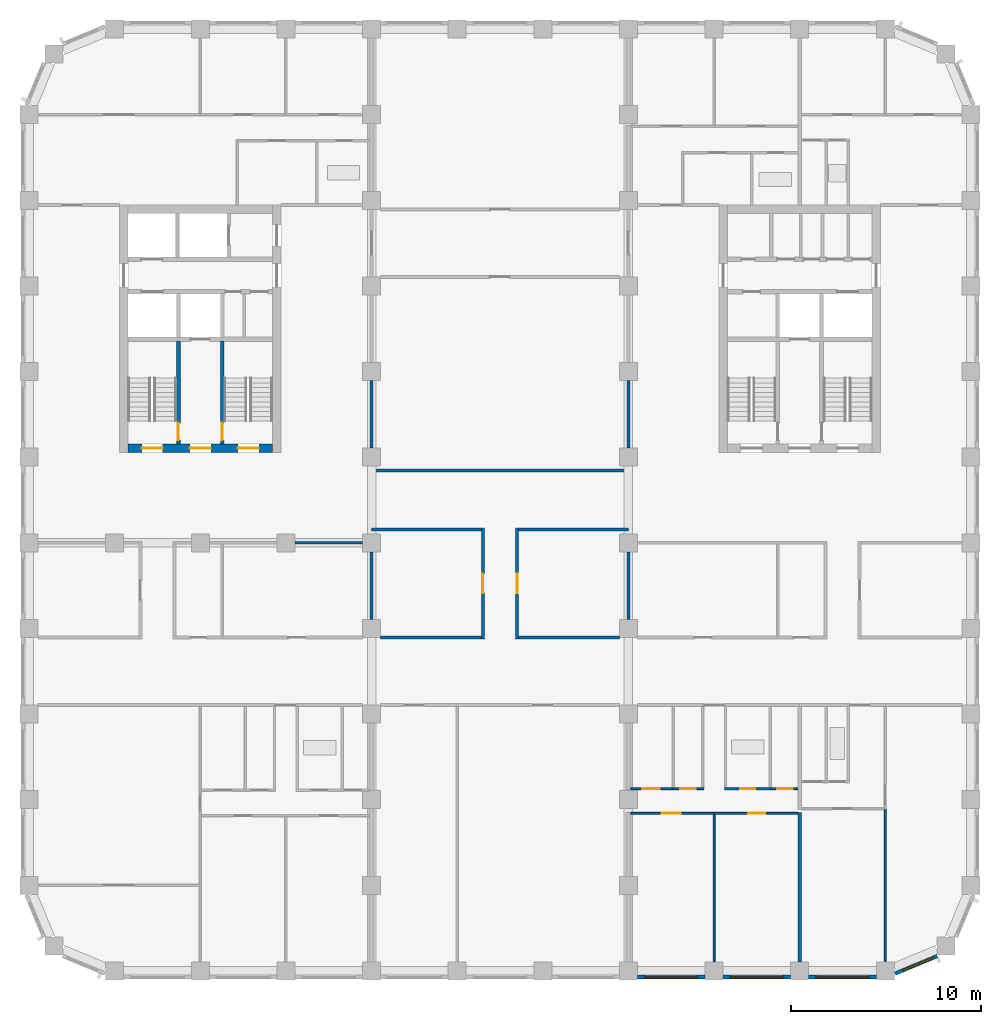
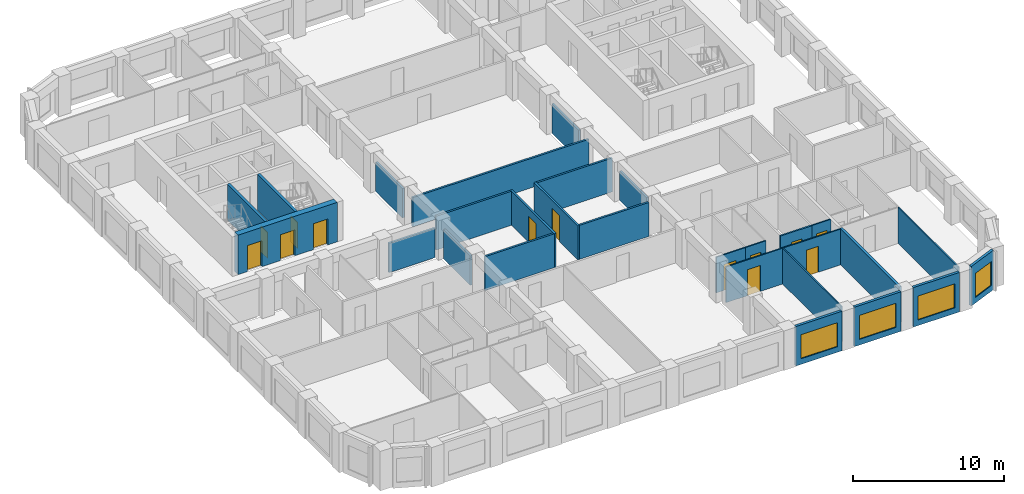
# One storey, part 4 of 12: 28 walls, 13 doors, 4 windows, 17 openings.
"""IFC4 building model written with IfcOpenShell, lengths in metres."""

import ifcopenshell
import ifcopenshell.guid

model = None  # the IFC model being written
_history = None  # IfcOwnerHistory: only IFC2X3 demands one
_inside = {}  # id of a spatial element -> (the spatial element, [elements in it])
_under = {}  # id of a project, library or spatial element -> (it, [spatial elements below it])
_declared = {}  # id of a project -> (the project, [libraries it declares])
_typed = {}  # id of a type object -> (the type object, [elements of that type])
_made_of = {}  # id of a material, layer set ... -> (it, [elements and type objects made of it])


def new_model(schema):
    """Start an empty IFC model of exactly this schema.

    Asked for "IFC4X3", IfcOpenShell would pick the latest addendum, in which some entities
    have other attributes; the version numbers below select the first issue.
    IFC2X3 requires an IfcOwnerHistory on every rooted entity: one is made here for all.
    """
    global model, _history
    if schema == "IFC4X3":
        model = ifcopenshell.file(schema_version=(4, 3, 0, 0))
    else:
        model = ifcopenshell.file(schema=schema)
    _inside.clear()
    _under.clear()
    _declared.clear()
    _typed.clear()
    _made_of.clear()
    _history = None
    if model.schema == "IFC2X3":
        org = make("IfcOrganization", Name="unknown")
        user = make(
            "IfcPersonAndOrganization",
            ThePerson=make("IfcPerson", FamilyName="unknown"),
            TheOrganization=org,
        )
        app = make(
            "IfcApplication",
            ApplicationDeveloper=org,
            Version="unknown",
            ApplicationFullName="unknown",
            ApplicationIdentifier="unknown",
        )
        _history = make(
            "IfcOwnerHistory",
            OwningUser=user,
            OwningApplication=app,
            ChangeAction="ADDED",
            CreationDate=0,
        )
    return model


def make(cls, **values):
    """One entity of the class cls with the attributes given. An attribute that is None is left unset."""
    return model.create_entity(
        cls, **{name: value for name, value in values.items() if value is not None}
    )


def rooted(cls, **values):
    """An entity with a GlobalId (a new one), such as an element, a storey or a relation."""
    return make(cls, GlobalId=ifcopenshell.guid.new(), OwnerHistory=_history, **values)


def si_unit(unit_type, name, prefix=None):
    """IfcSIUnit, for example si_unit("LENGTHUNIT", "METRE", prefix="MILLI")."""
    return make("IfcSIUnit", UnitType=unit_type, Prefix=prefix, Name=name)


def assignment(units):
    """IfcUnitAssignment: the units of a project."""
    return None if units is None else make("IfcUnitAssignment", Units=units)


def point(xyz):
    """IfcCartesianPoint."""
    return None if xyz is None else make("IfcCartesianPoint", Coordinates=xyz)


def direction(xyz):
    """IfcDirection."""
    return None if xyz is None else make("IfcDirection", DirectionRatios=xyz)


def frame(location, z_axis=None, x_axis=None):
    """IfcAxis2Placement3D, a coordinate frame: its origin and axes. An axis left out is left unset."""
    return make(
        "IfcAxis2Placement3D",
        Location=point(location),
        Axis=direction(z_axis),
        RefDirection=direction(x_axis),
    )


def frame_2d(location, x_axis=None):
    """IfcAxis2Placement2D, a coordinate frame in the plane: its origin and x axis."""
    return make(
        "IfcAxis2Placement2D", Location=point(location), RefDirection=direction(x_axis)
    )


def origin():
    """The frame at (0, 0, 0) with its axes left unset."""
    return frame((0.0, 0.0, 0.0))


def place(relative_to, where):
    """IfcLocalPlacement: puts the frame where relative to a parent placement (None: the world)."""
    return make(
        "IfcLocalPlacement", PlacementRelTo=relative_to, RelativePlacement=where
    )


def context(
    kind, dimensions, precision=None, world=None, true_north=None, identifier=None
):
    """IfcGeometricRepresentationContext, for example the 3D "Model" context."""
    return make(
        "IfcGeometricRepresentationContext",
        ContextIdentifier=identifier,
        ContextType=kind,
        CoordinateSpaceDimension=dimensions,
        Precision=precision,
        WorldCoordinateSystem=world,
        TrueNorth=true_north,
    )


def subcontext(parent, identifier, kind, view, scale=None):
    """IfcGeometricRepresentationSubContext, for example "Body" below "Model"."""
    return make(
        "IfcGeometricRepresentationSubContext",
        ContextIdentifier=identifier,
        ContextType=kind,
        ParentContext=parent,
        TargetScale=scale,
        TargetView=view,
    )


def project(units=None, contexts=None):
    """IfcProject with its units and contexts."""
    return rooted(
        "IfcProject",
        Name="project",
        RepresentationContexts=contexts,
        UnitsInContext=assignment(units),
    )


def spatial(cls, under=None, at=None, **own):
    """A site, building, storey or space (cls), placed at a placement, below another one or the project."""
    s = rooted(cls, ObjectPlacement=at, **own)
    if under is not None:
        _under.setdefault(under.id(), (under, []))[1].append(s)
    return s


def profile(cls, at=None, kind="AREA", **sizes):
    """A parametric profile (cls). Its sizes go by their IFC names, for example OverallWidth=200.0."""
    return make(cls, ProfileType=kind, Position=at, **sizes)


def rectangle(**sizes):
    """IfcRectangleProfileDef."""
    return profile("IfcRectangleProfileDef", **sizes)


def extrude(swept, where, along, depth):
    """IfcExtrudedAreaSolid: the profile swept, set in the frame where, extruded along a direction by depth."""
    return make(
        "IfcExtrudedAreaSolid",
        SweptArea=swept,
        Position=where,
        ExtrudedDirection=direction(along),
        Depth=depth,
    )


def shape(context_of_items, identifier, shape_type, items):
    """IfcShapeRepresentation: the items that make up one representation, for example the "Body"."""
    return make(
        "IfcShapeRepresentation",
        ContextOfItems=context_of_items,
        RepresentationIdentifier=identifier,
        RepresentationType=shape_type,
        Items=items,
    )


def material(Name=None, Category=None):
    """IfcMaterial."""
    return make("IfcMaterial", Name=Name, Category=Category)


def layer(
    of_material, thickness, ventilated=None, Name=None, Category=None, Priority=None
):
    """IfcMaterialLayer: one layer of a wall or slab, of a material (None: an air gap)."""
    return make(
        "IfcMaterialLayer",
        Material=of_material,
        LayerThickness=thickness,
        IsVentilated=ventilated,
        Name=Name,
        Category=Category,
        Priority=Priority,
    )


def layer_set(layers, Name=None):
    """IfcMaterialLayerSet."""
    return make("IfcMaterialLayerSet", MaterialLayers=layers, LayerSetName=Name)


def made_of(thing, what):
    """Note that an element or type object is made of a material, layer set ...; save() writes the relation."""
    if what is not None:
        _made_of.setdefault(what.id(), (what, []))[1].append(thing)
    return thing


def type_object(cls, material=None, **own):
    """A type object (cls), such as IfcWallType, which elements share."""
    return made_of(rooted(cls, **own), material)


def element(
    cls,
    number,
    at=None,
    inside=None,
    cuts=None,
    type_object=None,
    material=None,
    context=None,
    identifier="Body",
    shape_type=None,
    held_by="IfcProductDefinitionShape",
    body=None,
    shapes=None,
    **own,
):
    """One element of the class cls, such as IfcWall. Its Tag is "e" and its number.

    at: its placement. inside: the storey or other place that contains it. cuts: it is an
    opening in that element (IfcRelVoidsElement). A single representation is given by context,
    identifier, shape_type and body (its items); several are given by shapes. held_by: the class
    of the entity that holds the representations. save() writes the other relations.
    """
    e = rooted(cls, Tag="e%d" % number, ObjectPlacement=at, **own)
    if body is not None:
        shapes = [shape(context, identifier, shape_type, body)]
    if shapes is not None:
        e.Representation = make(held_by, Representations=shapes)
    if inside is not None:
        _inside.setdefault(inside.id(), (inside, []))[1].append(e)
    if cuts is not None:
        rooted(
            "IfcRelVoidsElement", RelatingBuildingElement=cuts, RelatedOpeningElement=e
        )
    if type_object is not None:
        _typed.setdefault(type_object.id(), (type_object, []))[1].append(e)
    return made_of(e, material)


def fill(opening, filler):
    """IfcRelFillsElement: the door or window that sits in an opening."""
    return rooted(
        "IfcRelFillsElement",
        RelatingOpeningElement=opening,
        RelatedBuildingElement=filler,
    )


def aggregate(whole, parts):
    """IfcRelAggregates: a whole, such as a stair, and the parts it consists of."""
    return rooted("IfcRelAggregates", RelatingObject=whole, RelatedObjects=parts)


def save(model, path):
    """Write the relations noted so far, then the file.

    IfcRelAggregates (storeys below a building ...), IfcRelContainedInSpatialStructure (elements
    in a storey), IfcRelDefinesByType, IfcRelAssociatesMaterial and IfcRelDeclares: one each for
    every whole, place, type object, material and project.
    """
    for whole, parts in _under.values():
        aggregate(whole, parts)
    for where, things in _inside.values():
        rooted(
            "IfcRelContainedInSpatialStructure",
            RelatedElements=things,
            RelatingStructure=where,
        )
    for kind, things in _typed.values():
        rooted("IfcRelDefinesByType", RelatedObjects=things, RelatingType=kind)
    for what, things in _made_of.values():
        rooted("IfcRelAssociatesMaterial", RelatedObjects=things, RelatingMaterial=what)
    for by, libraries in _declared.values():
        rooted("IfcRelDeclares", RelatingContext=by, RelatedDefinitions=libraries)
    model.write(path)


model = new_model("IFC4")

# Units and contexts
model_context = context("Model", 3, precision=1e-05, world=origin(), true_north=direction((0.0, 1.0)))
body_context = subcontext(model_context, "Body", "Model", "MODEL_VIEW")
ifc_project = project(units=[si_unit("LENGTHUNIT", "METRE"), si_unit("AREAUNIT", "SQUARE_METRE"), si_unit("VOLUMEUNIT", "CUBIC_METRE"), si_unit("PLANEANGLEUNIT", "RADIAN"), si_unit("MASSUNIT", "GRAM", prefix="KILO")], contexts=[model_context])

# Site, building, storey
site_placement = place(None, origin())
site = spatial("IfcSite", under=ifc_project, at=site_placement, CompositionType="ELEMENT")
building_placement = place(site_placement, origin())
building = spatial("IfcBuilding", under=site, at=building_placement, Name="Girih Gate Residences", CompositionType="ELEMENT")
storey_placement = place(building_placement, frame((0.0, 0.0, 139.800048828125)))
storey = spatial("IfcBuildingStorey", under=building, at=storey_placement, Name="L39", CompositionType="ELEMENT", Elevation=139.800048828125)

# Wall, opening, door
ifc_material_1 = material(Name="Gypsum board on steel studs", Category="steel")
ifc_layer_1 = layer(ifc_material_1, 0.14990234375)
ifc_layer_set_1 = layer_set([ifc_layer_1], Name="Compartment wall 150 mm")
wall_type_1 = type_object("IfcWallType", Name="Compartment wall 150 mm", PredefinedType="PARTITIONING", material=ifc_layer_set_1)
wall_1_placement = place(storey_placement, frame((23.85009765625, 17.449951171875, 0.0), z_axis=(0.0, 0.0, 1.0), x_axis=(0.0, 1.0, 0.0)))
wall_1 = element("IfcWall", 1, at=wall_1_placement, inside=storey, type_object=wall_type_1, Name="L39 partition", PredefinedType="PARTITIONING", context=body_context, shape_type="SweptSolid", body=[
    extrude(rectangle(XDim=5.824951171875, YDim=0.14990234375, at=frame_2d((2.91259765625, 0.0))), origin(), (0.0, 0.0, 1.0), 2.75),
])
opening_1_placement = place(wall_1_placement, frame((2.41259765625, 0.0, 0.0)))
opening_1 = element("IfcOpeningElement", 2, at=opening_1_placement, cuts=wall_1, Name="Opening A39-044", PredefinedType="OPENING", context=body_context, shape_type="SweptSolid", body=[
    extrude(rectangle(XDim=1.0, YDim=2.10009765625, at=frame_2d((0.5, 1.050048828125))), frame((0.0, 0.0849609375, 0.0), z_axis=(0.0, -1.0, 0.0), x_axis=(1.0, 0.0, 0.0)), (0.0, 0.0, 1.0), 0.169921875),
])
ifc_material_2 = material(Name="Timber, fire-rated core", Category="wood")
door_type_1 = type_object("IfcDoorType", Name="Amenity room door 1000x2100 FD30S", OperationType="NOTDEFINED", PredefinedType="DOOR", material=ifc_material_2)
door_1_placement = place(opening_1_placement, origin())
door_1 = element("IfcDoor", 3, at=door_1_placement, inside=storey, type_object=door_type_1, Name="Door A39-044", OperationType="SINGLE_SWING_LEFT", OverallHeight=2.10009765625, OverallWidth=1.0, PredefinedType="DOOR", context=body_context, shape_type="SweptSolid", body=[
    extrude(rectangle(XDim=1.0, YDim=2.10009765625, at=frame_2d((0.5, 1.050048828125))), frame((0.0, 0.02490234375, 0.0), z_axis=(0.0, -1.0, 0.0), x_axis=(1.0, 0.0, 0.0)), (0.0, 0.0, 1.0), 0.050048828125),
])
fill(opening_1, door_1)

wall_2_placement = place(storey_placement, frame((25.64990234375, 23.27490234375, 0.0), z_axis=(0.0, 0.0, 1.0), x_axis=(0.0, -1.0, 0.0)))
wall_2 = element("IfcWall", 4, at=wall_2_placement, inside=storey, type_object=wall_type_1, Name="L39 partition", PredefinedType="PARTITIONING", context=body_context, shape_type="SweptSolid", body=[
    extrude(rectangle(XDim=5.824951171875, YDim=0.14990234375, at=frame_2d((2.91259765625, 0.0))), origin(), (0.0, 0.0, 1.0), 2.75),
])
opening_2_placement = place(wall_2_placement, frame((2.41259765625, 0.0, 0.0)))
opening_2 = element("IfcOpeningElement", 5, at=opening_2_placement, cuts=wall_2, Name="Opening A39-045", PredefinedType="OPENING", context=body_context, shape_type="SweptSolid", body=[
    extrude(rectangle(XDim=1.0, YDim=2.10009765625, at=frame_2d((0.5, 1.050048828125))), frame((0.0, 0.0849609375, 0.0), z_axis=(0.0, -1.0, 0.0), x_axis=(1.0, 0.0, 0.0)), (0.0, 0.0, 1.0), 0.169921875),
])
door_2_placement = place(opening_2_placement, origin())
door_2 = element("IfcDoor", 6, at=door_2_placement, inside=storey, type_object=door_type_1, Name="Door A39-045", OperationType="SINGLE_SWING_RIGHT", OverallHeight=2.10009765625, OverallWidth=1.0, PredefinedType="DOOR", context=body_context, shape_type="SweptSolid", body=[
    extrude(rectangle(XDim=1.0, YDim=2.10009765625, at=frame_2d((0.5, 1.050048828125))), frame((0.0, 0.02490234375, 0.0), z_axis=(0.0, -1.0, 0.0), x_axis=(1.0, 0.0, 0.0)), (0.0, 0.0, 1.0), 0.050048828125),
])
fill(opening_2, door_2)

# Walls
for number, where, z_axis, x_axis, name in (
    (7, (18.47509765625, 17.52490234375, 0.0), (0.0, 0.0, 1.0), (1.0, 0.0, 0.0), "L39 partition"),
    (8, (25.72509765625, 17.52490234375, 0.0), (0.0, 0.0, 1.0), (1.0, 0.0, 0.0), "L39 partition"),
):
    element("IfcWall", number, at=place(storey_placement, frame(where, z_axis=z_axis, x_axis=x_axis)), inside=storey, type_object=wall_type_1, Name=name, PredefinedType="PARTITIONING", context=body_context, shape_type="SweptSolid", body=[
        extrude(rectangle(XDim=5.2998046875, YDim=0.14990234375, at=frame_2d((2.64990234375, 0.0))), origin(), (0.0, 0.0, 1.0), 2.75),
    ])
for number, where, z_axis, x_axis, name in (
    (9, (31.5, 27.47509765625, 0.0), (0.0, 0.0, 1.0), (0.0, 1.0, 0.0), "L39 partition"),
    (10, (18.0, 27.47509765625, 0.0), (0.0, 0.0, 1.0), (0.0, 1.0, 0.0), "L39 partition"),
):
    element("IfcWall", number, at=place(storey_placement, frame(where, z_axis=z_axis, x_axis=x_axis)), inside=storey, type_object=wall_type_1, Name=name, PredefinedType="PARTITIONING", context=body_context, shape_type="SweptSolid", body=[
        extrude(rectangle(XDim=3.5498046875, YDim=0.14990234375, at=frame_2d((1.77490234375, 0.0))), origin(), (0.0, 0.0, 1.0), 2.3798828125),
    ])
wall_3_placement = place(storey_placement, frame((18.0, 26.300048828125, 0.0), z_axis=(0.0, 0.0, 1.0), x_axis=(1.0, 0.0, 0.0)))
element("IfcWall", 11, at=wall_3_placement, inside=storey, type_object=wall_type_1, Name="L39 partition", PredefinedType="PARTITIONING", context=body_context, shape_type="SweptSolid", body=[
    extrude(rectangle(XDim=13.5, YDim=0.14990234375, at=frame_2d((6.75, 0.0))), origin(), (0.0, 0.0, 1.0), 2.3798828125),
])
wall_4_placement = place(storey_placement, frame((18.0, 23.199951171875, 0.0), z_axis=(0.0, 0.0, 1.0), x_axis=(1.0, 0.0, 0.0)))
element("IfcWall", 12, at=wall_4_placement, inside=storey, type_object=wall_type_1, Name="L39 partition", PredefinedType="PARTITIONING", context=body_context, shape_type="SweptSolid", body=[
    extrude(rectangle(XDim=5.77490234375, YDim=0.14990234375, at=frame_2d((2.887451171875, 0.0))), origin(), (0.0, 0.0, 1.0), 2.75),
])
wall_5_placement = place(storey_placement, frame((18.0, 18.47509765625, 0.0), z_axis=(0.0, 0.0, 1.0), x_axis=(0.0, 1.0, 0.0)))
element("IfcWall", 13, at=wall_5_placement, inside=storey, type_object=wall_type_1, Name="L39 partition", PredefinedType="PARTITIONING", context=body_context, shape_type="SweptSolid", body=[
    extrude(rectangle(XDim=3.5498046875, YDim=0.14990234375, at=frame_2d((1.77490234375, 0.0))), origin(), (0.0, 0.0, 1.0), 2.3798828125),
])
wall_6_placement = place(storey_placement, frame((25.72509765625, 23.199951171875, 0.0), z_axis=(0.0, 0.0, 1.0), x_axis=(1.0, 0.0, 0.0)))
element("IfcWall", 14, at=wall_6_placement, inside=storey, type_object=wall_type_1, Name="L39 partition", PredefinedType="PARTITIONING", context=body_context, shape_type="SweptSolid", body=[
    extrude(rectangle(XDim=5.77490234375, YDim=0.14990234375, at=frame_2d((2.887451171875, 0.0))), origin(), (0.0, 0.0, 1.0), 2.75),
])
for number, where, z_axis, x_axis, name in (
    (15, (31.5, 18.47509765625, 0.0), (0.0, 0.0, 1.0), (0.0, 1.0, 0.0), "L39 partition"),
    (16, (13.97509765625, 22.5, 0.0), (0.0, 0.0, 1.0), (1.0, 0.0, 0.0), "L39 partition"),
):
    element("IfcWall", number, at=place(storey_placement, frame(where, z_axis=z_axis, x_axis=x_axis)), inside=storey, type_object=wall_type_1, Name=name, PredefinedType="PARTITIONING", context=body_context, shape_type="SweptSolid", body=[
        extrude(rectangle(XDim=3.5498046875, YDim=0.14990234375, at=frame_2d((1.77490234375, 0.0))), origin(), (0.0, 0.0, 1.0), 2.3798828125),
    ])

# Wall, openings, doors
ifc_material_3 = material(Name="Concrete C60/75", Category="concrete")
ifc_layer_2 = layer(ifc_material_3, 0.449951171875)
ifc_layer_set_2 = layer_set([ifc_layer_2], Name="Core wall RC 450 Concrete C60/75")
wall_type_2 = type_object("IfcWallType", Name="Core wall RC 450 Concrete C60/75", PredefinedType="SOLIDWALL", material=ifc_layer_set_2)
wall_7_placement = place(storey_placement, frame((5.199951171875, 27.47509765625, 0.0), z_axis=(0.0, 0.0, 1.0), x_axis=(1.0, 0.0, 0.0)))
wall_7 = element("IfcWall", 17, at=wall_7_placement, inside=storey, type_object=wall_type_2, Name="Core wall W-S L39", PredefinedType="SOLIDWALL", context=body_context, shape_type="SweptSolid", body=[
    extrude(rectangle(XDim=7.60009765625, YDim=0.449951171875, at=frame_2d((3.800048828125, 0.0))), origin(), (0.0, 0.0, 1.0), 3.199951171875),
])
opening_3_placement = place(wall_7_placement, frame((0.72509765625, 0.0, 0.0)))
opening_3 = element("IfcOpeningElement", 18, at=opening_3_placement, cuts=wall_7, Name="Opening D-L39-W-009", PredefinedType="OPENING", context=body_context, shape_type="SweptSolid", body=[
    extrude(rectangle(XDim=1.10009765625, YDim=2.10009765625, at=frame_2d((0.550048828125, 1.050048828125))), frame((0.0, 0.23486328125, 0.0), z_axis=(0.0, -1.0, 0.0), x_axis=(1.0, 0.0, 0.0)), (0.0, 0.0, 1.0), 0.469970703125),
])
opening_4_placement = place(wall_7_placement, frame((3.25, 0.0, 0.0)))
opening_4 = element("IfcOpeningElement", 19, at=opening_4_placement, cuts=wall_7, Name="Opening D-L39-W-010", PredefinedType="OPENING", context=body_context, shape_type="SweptSolid", body=[
    extrude(rectangle(XDim=1.10009765625, YDim=2.10009765625, at=frame_2d((0.550048828125, 1.050048828125))), frame((0.0, 0.23486328125, 0.0), z_axis=(0.0, -1.0, 0.0), x_axis=(1.0, 0.0, 0.0)), (0.0, 0.0, 1.0), 0.469970703125),
])
opening_5_placement = place(wall_7_placement, frame((5.77490234375, 0.0, 0.0)))
opening_5 = element("IfcOpeningElement", 20, at=opening_5_placement, cuts=wall_7, Name="Opening D-L39-W-011", PredefinedType="OPENING", context=body_context, shape_type="SweptSolid", body=[
    extrude(rectangle(XDim=1.10009765625, YDim=2.10009765625, at=frame_2d((0.550048828125, 1.050048828125))), frame((0.0, 0.23486328125, 0.0), z_axis=(0.0, -1.0, 0.0), x_axis=(1.0, 0.0, 0.0)), (0.0, 0.0, 1.0), 0.469970703125),
])
ifc_material_4 = material(Name="Painted steel, fire-resisting", Category="steel")
door_type_2 = type_object("IfcDoorType", Name="Fire door 1100x2100", OperationType="SINGLE_SWING_LEFT", PredefinedType="DOOR", material=ifc_material_4)
door_3_placement = place(opening_3_placement, origin())
door_3 = element("IfcDoor", 21, at=door_3_placement, inside=storey, type_object=door_type_2, Name="L39 W core door sta-out", OperationType="SINGLE_SWING_LEFT", OverallHeight=2.10009765625, OverallWidth=1.10009765625, PredefinedType="DOOR", context=body_context, shape_type="SweptSolid", body=[
    extrude(rectangle(XDim=1.10009765625, YDim=2.10009765625, at=frame_2d((0.550048828125, 1.050048828125))), frame((0.0, 0.02490234375, 0.0), z_axis=(0.0, -1.0, 0.0), x_axis=(1.0, 0.0, 0.0)), (0.0, 0.0, 1.0), 0.050048828125),
])
fill(opening_3, door_3)
door_4_placement = place(opening_4_placement, origin())
door_4 = element("IfcDoor", 22, at=door_4_placement, inside=storey, type_object=door_type_2, Name="L39 W core door ffl-out", OperationType="SINGLE_SWING_LEFT", OverallHeight=2.10009765625, OverallWidth=1.10009765625, PredefinedType="DOOR", context=body_context, shape_type="SweptSolid", body=[
    extrude(rectangle(XDim=1.10009765625, YDim=2.10009765625, at=frame_2d((0.550048828125, 1.050048828125))), frame((0.0, 0.02490234375, 0.0), z_axis=(0.0, -1.0, 0.0), x_axis=(1.0, 0.0, 0.0)), (0.0, 0.0, 1.0), 0.050048828125),
])
fill(opening_4, door_4)
door_5_placement = place(opening_5_placement, origin())
door_5 = element("IfcDoor", 23, at=door_5_placement, inside=storey, type_object=door_type_2, Name="L39 W core door stb-out", OperationType="SINGLE_SWING_LEFT", OverallHeight=2.10009765625, OverallWidth=1.10009765625, PredefinedType="DOOR", context=body_context, shape_type="SweptSolid", body=[
    extrude(rectangle(XDim=1.10009765625, YDim=2.10009765625, at=frame_2d((0.550048828125, 1.050048828125))), frame((0.0, 0.02490234375, 0.0), z_axis=(0.0, -1.0, 0.0), x_axis=(1.0, 0.0, 0.0)), (0.0, 0.0, 1.0), 0.050048828125),
])
fill(opening_5, door_5)

# Wall
ifc_layer_3 = layer(ifc_material_1, 0.10009765625)
ifc_layer_set_3 = layer_set([ifc_layer_3], Name="Partition 100 mm")
wall_type_3 = type_object("IfcWallType", Name="Partition 100 mm", PredefinedType="PARTITIONING", material=ifc_layer_set_3)
wall_8_placement = place(storey_placement, frame((45.0, 0.51416015625, 0.0), z_axis=(0.0, 0.0, 1.0), x_axis=(0.0, 1.0, 0.0)))
element("IfcWall", 24, at=wall_8_placement, inside=storey, type_object=wall_type_3, Name="L39 partition", PredefinedType="PARTITIONING", context=body_context, shape_type="SweptSolid", body=[
    extrude(rectangle(XDim=8.0107421875, YDim=0.10009765625, at=frame_2d((4.00537109375, 0.0))), origin(), (0.0, 0.0, 1.0), 2.89990234375),
])

# Wall, opening, door
wall_9_placement = place(storey_placement, frame((40.39990234375, 8.284912109375, 0.0), z_axis=(0.0, 0.0, 1.0), x_axis=(-1.0, 0.0, 0.0)))
wall_9 = element("IfcWall", 25, at=wall_9_placement, inside=storey, type_object=wall_type_3, Name="L39 partition", PredefinedType="PARTITIONING", context=body_context, shape_type="SweptSolid", body=[
    extrude(rectangle(XDim=4.39990234375, YDim=0.10009765625, at=frame_2d((2.199951171875, 0.0))), origin(), (0.0, 0.0, 1.0), 2.89990234375),
])
opening_6_placement = place(wall_9_placement, frame((1.699951171875, 0.0, 0.0)))
opening_6 = element("IfcOpeningElement", 26, at=opening_6_placement, cuts=wall_9, Name="Opening A39-022", PredefinedType="OPENING", context=body_context, shape_type="SweptSolid", body=[
    extrude(rectangle(XDim=0.89990234375, YDim=2.10009765625, at=frame_2d((0.449951171875, 1.050048828125))), frame((0.0, 0.06005859375, 0.0), z_axis=(0.0, -1.0, 0.0), x_axis=(1.0, 0.0, 0.0)), (0.0, 0.0, 1.0), 0.1201171875),
])
ifc_material_5 = material(Name="Timber", Category="wood")
door_type_3 = type_object("IfcDoorType", Name="Bedroom door 900x2100", OperationType="NOTDEFINED", PredefinedType="DOOR", material=ifc_material_5)
door_6_placement = place(opening_6_placement, origin())
door_6 = element("IfcDoor", 27, at=door_6_placement, inside=storey, type_object=door_type_3, Name="Door A39-022", OperationType="SINGLE_SWING_LEFT", OverallHeight=2.10009765625, OverallWidth=0.89990234375, PredefinedType="DOOR", context=body_context, shape_type="SweptSolid", body=[
    extrude(rectangle(XDim=0.89990234375, YDim=2.10009765625, at=frame_2d((0.449951171875, 1.050048828125))), frame((0.0, 0.02490234375, 0.0), z_axis=(0.0, -1.0, 0.0), x_axis=(1.0, 0.0, 0.0)), (0.0, 0.0, 1.0), 0.050048828125),
])
fill(opening_6, door_6)

# Wall
wall_10_placement = place(storey_placement, frame((36.0, 0.47509765625, 0.0), z_axis=(0.0, 0.0, 1.0), x_axis=(0.0, 1.0, 0.0)))
element("IfcWall", 28, at=wall_10_placement, inside=storey, type_object=wall_type_3, Name="L39 partition", PredefinedType="PARTITIONING", context=body_context, shape_type="SweptSolid", body=[
    extrude(rectangle(XDim=7.760009765625, YDim=0.10009765625, at=frame_2d((3.8798828125, 0.0))), origin(), (0.0, 0.0, 1.0), 2.89990234375),
])

# Wall, opening, door
wall_11_placement = place(storey_placement, frame((31.625, 9.5849609375, 0.0), z_axis=(0.0, 0.0, 1.0), x_axis=(1.0, 0.0, 0.0)))
wall_11 = element("IfcWall", 29, at=wall_11_placement, inside=storey, type_object=wall_type_3, Name="L39 partition", PredefinedType="PARTITIONING", context=body_context, shape_type="SweptSolid", body=[
    extrude(rectangle(XDim=2.239501953125, YDim=0.10009765625, at=frame_2d((1.11962890625, 0.0))), origin(), (0.0, 0.0, 1.0), 2.89990234375),
])
opening_7_placement = place(wall_11_placement, frame((0.607177734375, 0.0, 0.0)))
opening_7 = element("IfcOpeningElement", 30, at=opening_7_placement, cuts=wall_11, Name="Opening A39-023", PredefinedType="OPENING", context=body_context, shape_type="SweptSolid", body=[
    extrude(rectangle(XDim=0.89990234375, YDim=2.10009765625, at=frame_2d((0.449951171875, 1.050048828125))), frame((0.0, 0.06005859375, 0.0), z_axis=(0.0, -1.0, 0.0), x_axis=(1.0, 0.0, 0.0)), (0.0, 0.0, 1.0), 0.1201171875),
])
door_type_4 = type_object("IfcDoorType", Name="Kitchen door 900x2100", OperationType="NOTDEFINED", PredefinedType="DOOR", material=ifc_material_5)
door_7_placement = place(opening_7_placement, origin())
door_7 = element("IfcDoor", 31, at=door_7_placement, inside=storey, type_object=door_type_4, Name="Door A39-023", OperationType="SINGLE_SWING_LEFT", OverallHeight=2.10009765625, OverallWidth=0.89990234375, PredefinedType="DOOR", context=body_context, shape_type="SweptSolid", body=[
    extrude(rectangle(XDim=0.89990234375, YDim=2.10009765625, at=frame_2d((0.449951171875, 1.050048828125))), frame((0.0, 0.02490234375, 0.0), z_axis=(0.0, -1.0, 0.0), x_axis=(1.0, 0.0, 0.0)), (0.0, 0.0, 1.0), 0.050048828125),
])
fill(opening_7, door_7)

wall_12_placement = place(storey_placement, frame((36.0, 8.284912109375, 0.0), z_axis=(0.0, 0.0, 1.0), x_axis=(-1.0, 0.0, 0.0)))
wall_12 = element("IfcWall", 32, at=wall_12_placement, inside=storey, type_object=wall_type_3, Name="L39 partition", PredefinedType="PARTITIONING", context=body_context, shape_type="SweptSolid", body=[
    extrude(rectangle(XDim=4.375, YDim=0.10009765625, at=frame_2d((2.1875, 0.0))), origin(), (0.0, 0.0, 1.0), 2.89990234375),
])
opening_8_placement = place(wall_12_placement, frame((1.75, 0.0, 0.0)))
opening_8 = element("IfcOpeningElement", 33, at=opening_8_placement, cuts=wall_12, Name="Opening A39-024", PredefinedType="OPENING", context=body_context, shape_type="SweptSolid", body=[
    extrude(rectangle(XDim=1.0, YDim=2.10009765625, at=frame_2d((0.5, 1.050048828125))), frame((0.0, 0.06005859375, 0.0), z_axis=(0.0, -1.0, 0.0), x_axis=(1.0, 0.0, 0.0)), (0.0, 0.0, 1.0), 0.1201171875),
])
door_type_5 = type_object("IfcDoorType", Name="Living room door 1000x2100", OperationType="NOTDEFINED", PredefinedType="DOOR", material=ifc_material_5)
door_8_placement = place(opening_8_placement, origin())
door_8 = element("IfcDoor", 34, at=door_8_placement, inside=storey, type_object=door_type_5, Name="Door A39-024", OperationType="SINGLE_SWING_RIGHT", OverallHeight=2.10009765625, OverallWidth=1.0, PredefinedType="DOOR", context=body_context, shape_type="SweptSolid", body=[
    extrude(rectangle(XDim=1.0, YDim=2.10009765625, at=frame_2d((0.5, 1.050048828125))), frame((0.0, 0.02490234375, 0.0), z_axis=(0.0, -1.0, 0.0), x_axis=(1.0, 0.0, 0.0)), (0.0, 0.0, 1.0), 0.050048828125),
])
fill(opening_8, door_8)

wall_13_placement = place(storey_placement, frame((38.946533203125, 9.5849609375, 0.0), z_axis=(0.0, 0.0, 1.0), x_axis=(1.0, 0.0, 0.0)))
wall_13 = element("IfcWall", 35, at=wall_13_placement, inside=storey, type_object=wall_type_3, Name="L39 partition", PredefinedType="PARTITIONING", context=body_context, shape_type="SweptSolid", body=[
    extrude(rectangle(XDim=1.453369140625, YDim=0.10009765625, at=frame_2d((0.7265625, 0.0))), origin(), (0.0, 0.0, 1.0), 2.89990234375),
])
opening_9_placement = place(wall_13_placement, frame((0.376708984375, 0.0, 0.0)))
opening_9 = element("IfcOpeningElement", 36, at=opening_9_placement, cuts=wall_13, Name="Opening A39-025", PredefinedType="OPENING", context=body_context, shape_type="SweptSolid", body=[
    extrude(rectangle(XDim=0.800048828125, YDim=2.10009765625, at=frame_2d((0.39990234375, 1.050048828125))), frame((0.0, 0.06005859375, 0.0), z_axis=(0.0, -1.0, 0.0), x_axis=(1.0, 0.0, 0.0)), (0.0, 0.0, 1.0), 0.1201171875),
])
door_type_6 = type_object("IfcDoorType", Name="Store door 800x2100", OperationType="NOTDEFINED", PredefinedType="DOOR", material=ifc_material_5)
door_9_placement = place(opening_9_placement, origin())
door_9 = element("IfcDoor", 37, at=door_9_placement, inside=storey, type_object=door_type_6, Name="Door A39-025", OperationType="SINGLE_SWING_RIGHT", OverallHeight=2.10009765625, OverallWidth=0.800048828125, PredefinedType="DOOR", context=body_context, shape_type="SweptSolid", body=[
    extrude(rectangle(XDim=0.800048828125, YDim=2.10009765625, at=frame_2d((0.39990234375, 1.050048828125))), frame((0.0, 0.02490234375, 0.0), z_axis=(0.0, -1.0, 0.0), x_axis=(1.0, 0.0, 0.0)), (0.0, 0.0, 1.0), 0.050048828125),
])
fill(opening_9, door_9)

wall_14_placement = place(storey_placement, frame((33.864501953125, 9.5849609375, 0.0), z_axis=(0.0, 0.0, 1.0), x_axis=(1.0, 0.0, 0.0)))
wall_14 = element("IfcWall", 38, at=wall_14_placement, inside=storey, type_object=wall_type_3, Name="L39 partition", PredefinedType="PARTITIONING", context=body_context, shape_type="SweptSolid", body=[
    extrude(rectangle(XDim=1.58544921875, YDim=0.10009765625, at=frame_2d((0.792724609375, 0.0))), origin(), (0.0, 0.0, 1.0), 2.89990234375),
])
opening_10_placement = place(wall_14_placement, frame((0.367919921875, 0.0, 0.0)))
opening_10 = element("IfcOpeningElement", 39, at=opening_10_placement, cuts=wall_14, Name="Opening A39-026", PredefinedType="OPENING", context=body_context, shape_type="SweptSolid", body=[
    extrude(rectangle(XDim=0.800048828125, YDim=2.10009765625, at=frame_2d((0.39990234375, 1.050048828125))), frame((0.0, 0.06005859375, 0.0), z_axis=(0.0, -1.0, 0.0), x_axis=(1.0, 0.0, 0.0)), (0.0, 0.0, 1.0), 0.1201171875),
])
door_10_placement = place(opening_10_placement, origin())
door_10 = element("IfcDoor", 40, at=door_10_placement, inside=storey, type_object=door_type_6, Name="Door A39-026", OperationType="SINGLE_SWING_LEFT", OverallHeight=2.10009765625, OverallWidth=0.800048828125, PredefinedType="DOOR", context=body_context, shape_type="SweptSolid", body=[
    extrude(rectangle(XDim=0.800048828125, YDim=2.10009765625, at=frame_2d((0.39990234375, 1.050048828125))), frame((0.0, 0.02490234375, 0.0), z_axis=(0.0, -1.0, 0.0), x_axis=(1.0, 0.0, 0.0)), (0.0, 0.0, 1.0), 0.050048828125),
])
fill(opening_10, door_10)

# Wall
ifc_layer_4 = layer(ifc_material_1, 0.199951171875)
ifc_layer_set_4 = layer_set([ifc_layer_4], Name="Party wall 200 mm")
wall_type_4 = type_object("IfcWallType", Name="Party wall 200 mm", PredefinedType="PARTITIONING", material=ifc_layer_set_4)
wall_15_placement = place(storey_placement, frame((40.5, 0.47509765625, 0.0), z_axis=(0.0, 0.0, 1.0), x_axis=(0.0, 1.0, 0.0)))
element("IfcWall", 41, at=wall_15_placement, inside=storey, type_object=wall_type_4, Name="L39 partition", PredefinedType="PARTITIONING", context=body_context, shape_type="SweptSolid", body=[
    extrude(rectangle(XDim=7.85986328125, YDim=0.199951171875, at=frame_2d((3.929931640625, 0.0))), origin(), (0.0, 0.0, 1.0), 2.89990234375),
])

# Wall, opening, window
ifc_material_6 = material(Name="Precast concrete C50/60", Category="concrete")
ifc_layer_5 = layer(ifc_material_6, 0.06005859375, Name="Outer leaf")
ifc_material_7 = material(Name="Rigid PIR insulation")
ifc_layer_6 = layer(ifc_material_7, 0.090087890625, Name="Insulation")
ifc_material_8 = material(Name="Precast concrete C40/50", Category="concrete")
ifc_layer_7 = layer(ifc_material_8, 0.050048828125, Name="Inner leaf")
ifc_layer_set_5 = layer_set([ifc_layer_5, ifc_layer_6, ifc_layer_7], Name="Precast concrete C50/60 external wall 200")
wall_type_5 = type_object("IfcWallType", Name="Precast concrete C50/60 external wall 200", PredefinedType="SOLIDWALL", material=ifc_layer_set_5)
wall_16_placement = place(storey_placement, frame((35.52490234375, -0.324951171875, 0.0), z_axis=(0.0, 0.0, 1.0), x_axis=(-1.0, 0.0, 0.0)))
wall_16 = element("IfcWall", 42, at=wall_16_placement, inside=storey, type_object=wall_type_5, Name="External wall S0045_0000.6", PredefinedType="SOLIDWALL", context=body_context, shape_type="SweptSolid", body=[
    extrude(rectangle(XDim=3.5498046875, YDim=0.199951171875, at=frame_2d((1.77490234375, 0.0))), origin(), (0.0, 0.0, 1.0), 3.199951171875),
])
opening_11_placement = place(wall_16_placement, frame((0.375, 0.0, 0.449951171875)))
opening_11 = element("IfcOpeningElement", 43, at=opening_11_placement, cuts=wall_16, Name="Opening W-1B", PredefinedType="OPENING", context=body_context, shape_type="SweptSolid", body=[
    extrude(rectangle(XDim=2.800048828125, YDim=1.949951171875, at=frame_2d((1.39990234375, 0.97509765625))), frame((0.0, 0.10986328125, 0.0), z_axis=(0.0, -1.0, 0.0), x_axis=(1.0, 0.0, 0.0)), (0.0, 0.0, 1.0), 0.219970703125),
])
ifc_material_9 = material(Name="Double glazing in aluminium frame", Category="aluminium")
window_type_1 = type_object("IfcWindowType", Name="Window W-1B 2800x1950", PartitioningType="SINGLE_PANEL", PredefinedType="WINDOW", material=ifc_material_9)
window_1_placement = place(opening_11_placement, origin())
window_1 = element("IfcWindow", 44, at=window_1_placement, inside=storey, type_object=window_type_1, Name="Window W-1B S0045_0000.6", OverallHeight=1.949951171875, OverallWidth=2.800048828125, PartitioningType="SINGLE_PANEL", PredefinedType="WINDOW", context=body_context, shape_type="SweptSolid", body=[
    extrude(rectangle(XDim=2.800048828125, YDim=1.949951171875, at=frame_2d((1.39990234375, 0.97509765625))), frame((0.0, 0.030029296875, 0.0), z_axis=(0.0, -1.0, 0.0), x_axis=(1.0, 0.0, 0.0)), (0.0, 0.0, 1.0), 0.06005859375),
])
fill(opening_11, window_1)

wall_17_placement = place(storey_placement, frame((40.02490234375, -0.324951171875, 0.0), z_axis=(0.0, 0.0, 1.0), x_axis=(-1.0, 0.0, 0.0)))
wall_17 = element("IfcWall", 45, at=wall_17_placement, inside=storey, type_object=wall_type_5, Name="External wall S0045_0000.7", PredefinedType="SOLIDWALL", context=body_context, shape_type="SweptSolid", body=[
    extrude(rectangle(XDim=3.5498046875, YDim=0.199951171875, at=frame_2d((1.77490234375, 0.0))), origin(), (0.0, 0.0, 1.0), 3.199951171875),
])
opening_12_placement = place(wall_17_placement, frame((0.375, 0.0, 0.449951171875)))
opening_12 = element("IfcOpeningElement", 46, at=opening_12_placement, cuts=wall_17, Name="Opening W-1B", PredefinedType="OPENING", context=body_context, shape_type="SweptSolid", body=[
    extrude(rectangle(XDim=2.800048828125, YDim=1.949951171875, at=frame_2d((1.39990234375, 0.97509765625))), frame((0.0, 0.10986328125, 0.0), z_axis=(0.0, -1.0, 0.0), x_axis=(1.0, 0.0, 0.0)), (0.0, 0.0, 1.0), 0.219970703125),
])
window_2_placement = place(opening_12_placement, origin())
window_2 = element("IfcWindow", 47, at=window_2_placement, inside=storey, type_object=window_type_1, Name="Window W-1B S0045_0000.7", OverallHeight=1.949951171875, OverallWidth=2.800048828125, PartitioningType="SINGLE_PANEL", PredefinedType="WINDOW", context=body_context, shape_type="SweptSolid", body=[
    extrude(rectangle(XDim=2.800048828125, YDim=1.949951171875, at=frame_2d((1.39990234375, 0.97509765625))), frame((0.0, 0.030029296875, 0.0), z_axis=(0.0, -1.0, 0.0), x_axis=(1.0, 0.0, 0.0)), (0.0, 0.0, 1.0), 0.06005859375),
])
fill(opening_12, window_2)

wall_18_placement = place(storey_placement, frame((44.52490234375, -0.324951171875, 0.0), z_axis=(0.0, 0.0, 1.0), x_axis=(-1.0, 0.0, 0.0)))
wall_18 = element("IfcWall", 48, at=wall_18_placement, inside=storey, type_object=wall_type_5, Name="External wall S0045_0000.8", PredefinedType="SOLIDWALL", context=body_context, shape_type="SweptSolid", body=[
    extrude(rectangle(XDim=3.5498046875, YDim=0.199951171875, at=frame_2d((1.77490234375, 0.0))), origin(), (0.0, 0.0, 1.0), 3.199951171875),
])
opening_13_placement = place(wall_18_placement, frame((0.375, 0.0, 0.449951171875)))
opening_13 = element("IfcOpeningElement", 49, at=opening_13_placement, cuts=wall_18, Name="Opening W-1B", PredefinedType="OPENING", context=body_context, shape_type="SweptSolid", body=[
    extrude(rectangle(XDim=2.800048828125, YDim=1.949951171875, at=frame_2d((1.39990234375, 0.97509765625))), frame((0.0, 0.10986328125, 0.0), z_axis=(0.0, -1.0, 0.0), x_axis=(1.0, 0.0, 0.0)), (0.0, 0.0, 1.0), 0.219970703125),
])
window_3_placement = place(opening_13_placement, origin())
window_3 = element("IfcWindow", 50, at=window_3_placement, inside=storey, type_object=window_type_1, Name="Window W-1B S0045_0000.8", OverallHeight=1.949951171875, OverallWidth=2.800048828125, PartitioningType="SINGLE_PANEL", PredefinedType="WINDOW", context=body_context, shape_type="SweptSolid", body=[
    extrude(rectangle(XDim=2.800048828125, YDim=1.949951171875, at=frame_2d((1.39990234375, 0.97509765625))), frame((0.0, 0.030029296875, 0.0), z_axis=(0.0, -1.0, 0.0), x_axis=(1.0, 0.0, 0.0)), (0.0, 0.0, 1.0), 0.06005859375),
])
fill(opening_13, window_3)

wall_19_placement = place(storey_placement, frame((47.73291015625, 0.7802734375, 0.0), z_axis=(0.0, 0.0, 1.0), x_axis=(-0.923880599843, -0.382680855588, 0.0)))
wall_19 = element("IfcWall", 51, at=wall_19_placement, inside=storey, type_object=wall_type_5, Name="External wall SE0450_0000.0", PredefinedType="SOLIDWALL", context=body_context, shape_type="SweptSolid", body=[
    extrude(rectangle(XDim=2.402587890625, YDim=0.199951171875, at=frame_2d((1.201171875, 0.0))), origin(), (0.0, 0.0, 1.0), 3.199951171875),
])
opening_14_placement = place(wall_19_placement, frame((0.25146484375, 0.0, 0.449951171875)))
opening_14 = element("IfcOpeningElement", 52, at=opening_14_placement, cuts=wall_19, Name="Opening W-2E", PredefinedType="OPENING", context=body_context, shape_type="SweptSolid", body=[
    extrude(rectangle(XDim=1.699951171875, YDim=1.949951171875, at=frame_2d((0.85009765625, 0.97509765625))), frame((0.0, 0.10986328125, 0.0), z_axis=(0.0, -1.0, 0.0), x_axis=(1.0, 0.0, 0.0)), (0.0, 0.0, 1.0), 0.219970703125),
])
window_type_2 = type_object("IfcWindowType", Name="Window W-2E 1700x1950", PartitioningType="SINGLE_PANEL", PredefinedType="WINDOW", material=ifc_material_9)
window_4_placement = place(opening_14_placement, origin())
window_4 = element("IfcWindow", 53, at=window_4_placement, inside=storey, type_object=window_type_2, Name="Window W-2E SE0450_0000.0", OverallHeight=1.949951171875, OverallWidth=1.699951171875, PartitioningType="SINGLE_PANEL", PredefinedType="WINDOW", context=body_context, shape_type="SweptSolid", body=[
    extrude(rectangle(XDim=1.699951171875, YDim=1.949951171875, at=frame_2d((0.85009765625, 0.97509765625))), frame((0.0, 0.030029296875, 0.0), z_axis=(0.0, -1.0, 0.0), x_axis=(1.0, 0.0, 0.0)), (0.0, 0.0, 1.0), 0.06005859375),
])
fill(opening_14, window_4)

# Wall, opening, door
ifc_material_10 = material(Name="Concrete C40/50", Category="concrete")
ifc_layer_8 = layer(ifc_material_10, 0.199951171875)
ifc_layer_set_6 = layer_set([ifc_layer_8], Name="Shaft wall 200")
wall_type_6 = type_object("IfcWallType", Name="Shaft wall 200", PredefinedType="SOLIDWALL", material=ifc_layer_set_6)
wall_20_placement = place(storey_placement, frame((7.85009765625, 27.699951171875, 0.0), z_axis=(0.0, 0.0, 1.0), x_axis=(0.0, 1.0, 0.0)))
wall_20 = element("IfcWall", 54, at=wall_20_placement, inside=storey, type_object=wall_type_6, Name="L39 W core wall V1a", PredefinedType="SOLIDWALL", context=body_context, shape_type="SweptSolid", body=[
    extrude(rectangle(XDim=5.400146484375, YDim=0.199951171875, at=frame_2d((2.7001953125, 0.0))), origin(), (0.0, 0.0, 1.0), 2.89990234375),
])
opening_15_placement = place(wall_20_placement, frame((0.199951171875, 0.0, 0.0)))
opening_15 = element("IfcOpeningElement", 55, at=opening_15_placement, cuts=wall_20, Name="Opening D-L39-W-001", PredefinedType="OPENING", context=body_context, shape_type="SweptSolid", body=[
    extrude(rectangle(XDim=0.89990234375, YDim=2.10009765625, at=frame_2d((0.449951171875, 1.050048828125))), frame((0.0, 0.10986328125, 0.0), z_axis=(0.0, -1.0, 0.0), x_axis=(1.0, 0.0, 0.0)), (0.0, 0.0, 1.0), 0.219970703125),
])
door_type_7 = type_object("IfcDoorType", Name="Fire door 900x2100", OperationType="SINGLE_SWING_LEFT", PredefinedType="DOOR", material=ifc_material_4)
door_11_placement = place(opening_15_placement, origin())
door_11 = element("IfcDoor", 56, at=door_11_placement, inside=storey, type_object=door_type_7, Name="L39 W door stair 1 to firefighting lobby", OperationType="SINGLE_SWING_LEFT", OverallHeight=2.10009765625, OverallWidth=0.89990234375, PredefinedType="DOOR", context=body_context, shape_type="SweptSolid", body=[
    extrude(rectangle(XDim=0.89990234375, YDim=2.10009765625, at=frame_2d((0.449951171875, 1.050048828125))), frame((0.0, 0.02490234375, 0.0), z_axis=(0.0, -1.0, 0.0), x_axis=(1.0, 0.0, 0.0)), (0.0, 0.0, 1.0), 0.050048828125),
])
fill(opening_15, door_11)

wall_21_placement = place(storey_placement, frame((10.14990234375, 27.699951171875, 0.0), z_axis=(0.0, 0.0, 1.0), x_axis=(0.0, 1.0, 0.0)))
wall_21 = element("IfcWall", 57, at=wall_21_placement, inside=storey, type_object=wall_type_6, Name="L39 W core wall V2a", PredefinedType="SOLIDWALL", context=body_context, shape_type="SweptSolid", body=[
    extrude(rectangle(XDim=5.400146484375, YDim=0.199951171875, at=frame_2d((2.7001953125, 0.0))), origin(), (0.0, 0.0, 1.0), 2.89990234375),
])
opening_16_placement = place(wall_21_placement, frame((0.199951171875, 0.0, 0.0)))
opening_16 = element("IfcOpeningElement", 58, at=opening_16_placement, cuts=wall_21, Name="Opening D-L39-W-002", PredefinedType="OPENING", context=body_context, shape_type="SweptSolid", body=[
    extrude(rectangle(XDim=0.89990234375, YDim=2.10009765625, at=frame_2d((0.449951171875, 1.050048828125))), frame((0.0, 0.10986328125, 0.0), z_axis=(0.0, -1.0, 0.0), x_axis=(1.0, 0.0, 0.0)), (0.0, 0.0, 1.0), 0.219970703125),
])
door_12_placement = place(opening_16_placement, origin())
door_12 = element("IfcDoor", 59, at=door_12_placement, inside=storey, type_object=door_type_7, Name="L39 W door stair 2 to firefighting lobby", OperationType="SINGLE_SWING_LEFT", OverallHeight=2.10009765625, OverallWidth=0.89990234375, PredefinedType="DOOR", context=body_context, shape_type="SweptSolid", body=[
    extrude(rectangle(XDim=0.89990234375, YDim=2.10009765625, at=frame_2d((0.449951171875, 1.050048828125))), frame((0.0, 0.02490234375, 0.0), z_axis=(0.0, -1.0, 0.0), x_axis=(1.0, 0.0, 0.0)), (0.0, 0.0, 1.0), 0.050048828125),
])
fill(opening_16, door_12)

ifc_layer_9 = layer(ifc_material_1, 0.125)
ifc_layer_set_7 = layer_set([ifc_layer_9], Name="Wet room wall 125 mm")
wall_type_7 = type_object("IfcWallType", Name="Wet room wall 125 mm", PredefinedType="PARTITIONING", material=ifc_layer_set_7)
wall_22_placement = place(storey_placement, frame((36.53759765625, 9.5849609375, 0.0), z_axis=(0.0, 0.0, 1.0), x_axis=(1.0, 0.0, 0.0)))
wall_22 = element("IfcWall", 60, at=wall_22_placement, inside=storey, type_object=wall_type_7, Name="L39 partition", PredefinedType="PARTITIONING", context=body_context, shape_type="SweptSolid", body=[
    extrude(rectangle(XDim=2.408935546875, YDim=0.125, at=frame_2d((1.20458984375, 0.0))), origin(), (0.0, 0.0, 1.0), 2.89990234375),
])
opening_17_placement = place(wall_22_placement, frame((0.835693359375, 0.0, 0.0)))
opening_17 = element("IfcOpeningElement", 61, at=opening_17_placement, cuts=wall_22, Name="Opening A39-021", PredefinedType="OPENING", context=body_context, shape_type="SweptSolid", body=[
    extrude(rectangle(XDim=0.800048828125, YDim=2.10009765625, at=frame_2d((0.39990234375, 1.050048828125))), frame((0.0, 0.072509765625, 0.0), z_axis=(0.0, -1.0, 0.0), x_axis=(1.0, 0.0, 0.0)), (0.0, 0.0, 1.0), 0.14501953125),
])
door_type_8 = type_object("IfcDoorType", Name="Bathroom door 800x2100", OperationType="NOTDEFINED", PredefinedType="DOOR", material=ifc_material_5)
door_13_placement = place(opening_17_placement, origin())
door_13 = element("IfcDoor", 62, at=door_13_placement, inside=storey, type_object=door_type_8, Name="Door A39-021", OperationType="SINGLE_SWING_RIGHT", OverallHeight=2.10009765625, OverallWidth=0.800048828125, PredefinedType="DOOR", context=body_context, shape_type="SweptSolid", body=[
    extrude(rectangle(XDim=0.800048828125, YDim=2.10009765625, at=frame_2d((0.39990234375, 1.050048828125))), frame((0.0, 0.02490234375, 0.0), z_axis=(0.0, -1.0, 0.0), x_axis=(1.0, 0.0, 0.0)), (0.0, 0.0, 1.0), 0.050048828125),
])
fill(opening_17, door_13)

save(model, "model.ifc")
